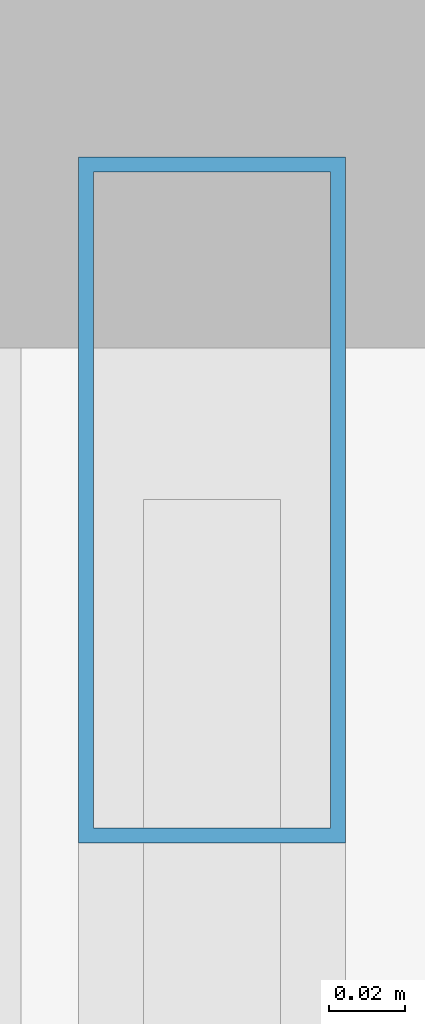
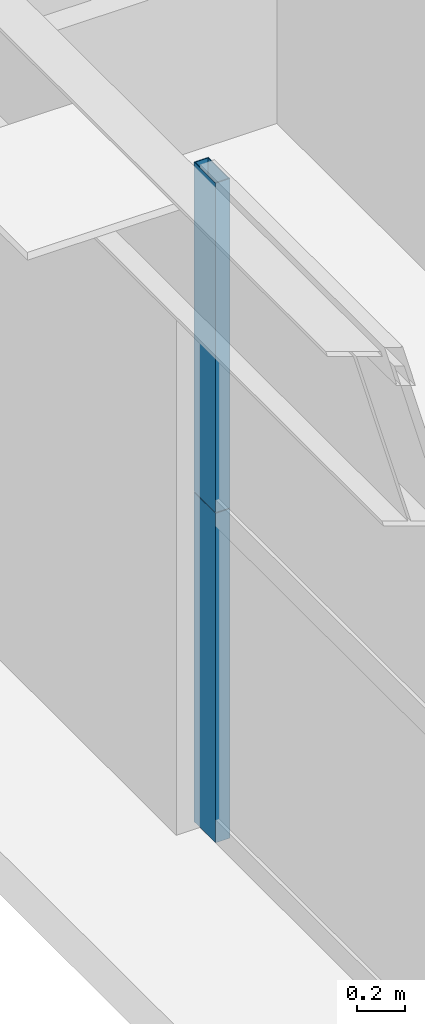
# One storey, part 24 of 43: 2 members, 1 element without a shape of its own.
"""IFC4 building model written with IfcOpenShell, lengths in metres."""

from ifc_helpers import new_model, si_unit, direction, frame, origin, origin_2d, place, context, subcontext, project, spatial, hollow_rectangle, extrude, source, transform, mapped, material, layer, layer_set, material_profile, profile_set, type_object, element, aggregate, save


model = new_model("IFC4")

# Units and contexts
model_context = context("Model", 3, precision=1e-05, world=origin(), true_north=direction((0.0, 1.0)))
body_context = subcontext(model_context, "Body", "Model", "MODEL_VIEW")
ifc_project = project(units=[si_unit("LENGTHUNIT", "METRE"), si_unit("AREAUNIT", "SQUARE_METRE"), si_unit("VOLUMEUNIT", "CUBIC_METRE"), si_unit("PLANEANGLEUNIT", "RADIAN"), si_unit("MASSUNIT", "GRAM", prefix="KILO"), si_unit("THERMODYNAMICTEMPERATUREUNIT", "KELVIN"), si_unit("POWERUNIT", "WATT")], contexts=[model_context])

# Site, building, storey
site_placement = place(None, origin())
site = spatial("IfcSite", under=ifc_project, at=site_placement, CompositionType="ELEMENT")
building_placement = place(site_placement, origin())
building = spatial("IfcBuilding", under=site, at=building_placement, Name="Yuzanri Waterfront Tower", CompositionType="ELEMENT")
storey_placement = place(building_placement, frame((0.0, 0.0, 64.0)))
storey = spatial("IfcBuildingStorey", under=building, at=storey_placement, Name="L16", CompositionType="ELEMENT", Elevation=64.0)

# Curtain wall, members
ifc_material_1 = material(Name="Anodized Architectural Bronze", Category="metal")
ifc_layer = layer(ifc_material_1, 0.159912109375)
ifc_layer_set = layer_set([ifc_layer], Name="Anodized Architectural Bronze")
curtain_wall_type = type_object("IfcCurtainWallType", Name="Anodized Bronze Hotel Lower-Tier Recessed Unitized Curtain Wall 8100", PredefinedType="NOTDEFINED", material=ifc_layer_set)
curtain_wall_placement = place(storey_placement, origin())
curtain_wall = element("IfcCurtainWall", 1, at=curtain_wall_placement, inside=storey, type_object=curtain_wall_type, Name="L16 Curtain Wall CW-L16-WR", PredefinedType="NOTDEFINED")
ifc_material_2 = material(Name="Anodized Architectural Bronze", Category="metal")
ifc_material_profile = material_profile(ifc_material_2, hollow_rectangle(XDim=0.070068359375, YDim=0.179931640625, WallThickness=0.00390625, at=origin_2d()), Name="CWM 70x180")
ifc_profile_set = profile_set([ifc_material_profile], Name="Anodized Architectural Bronze")
member_type = type_object("IfcMemberType", Name="Anodized Bronze Standard Curtain-Wall Mullion 70x180", PredefinedType="MULLION", material=ifc_profile_set)
shared_shape = source(origin(), body_context, "Body", "SweptSolid", [
    extrude(hollow_rectangle(XDim=0.070068359375, YDim=0.179931640625, WallThickness=0.00390625, at=origin_2d()), origin(), (0.0, 0.0, 1.0), 1.68798828125),
])
member_1_placement = place(storey_placement, frame((12.050048828125, 43.510009765625, 0.0), z_axis=(0.0, 0.0, 1.0), x_axis=(1.0, 0.0, 0.0)))
member_1 = element("IfcMember", 2, at=member_1_placement, type_object=member_type, Name="CW-L16-WR Lower Mullion 02", PredefinedType="MULLION", context=body_context, shape_type="MappedRepresentation", body=[
    mapped(shared_shape, transform((0.0, 0.0, 0.0), scale=1.0)),
])
member_2_placement = place(storey_placement, frame((12.050048828125, 43.510009765625, 1.69189453125), z_axis=(0.0, 0.0, 1.0), x_axis=(1.0, 0.0, 0.0)))
member_2 = element("IfcMember", 3, at=member_2_placement, type_object=member_type, Name="CW-L16-WR Upper Mullion 02", PredefinedType="MULLION", context=body_context, shape_type="MappedRepresentation", body=[
    mapped(shared_shape, transform((0.0, 0.0, 0.0), scale=1.0)),
])
aggregate(curtain_wall, [member_1, member_2])

save(model, "model.ifc")
